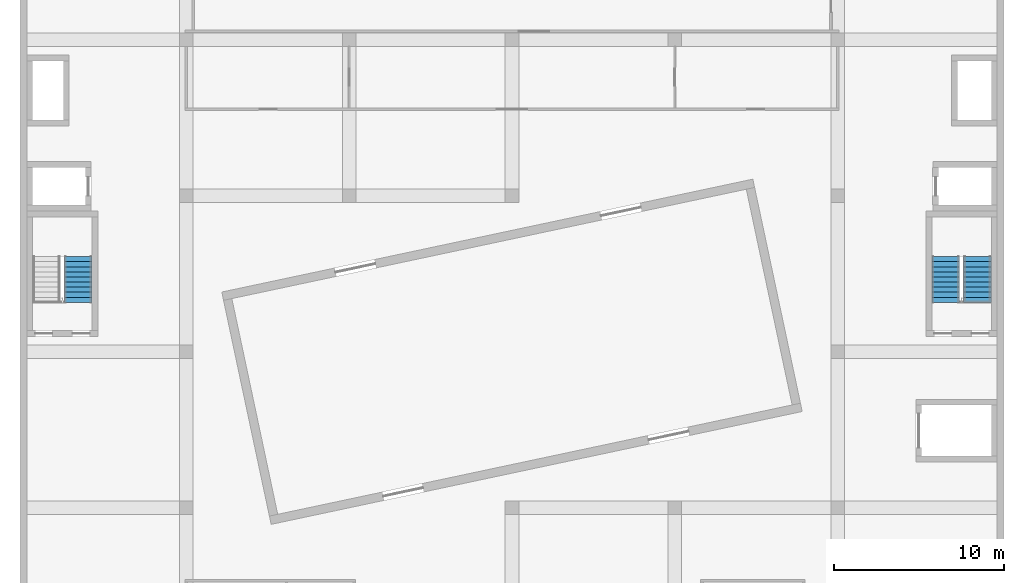
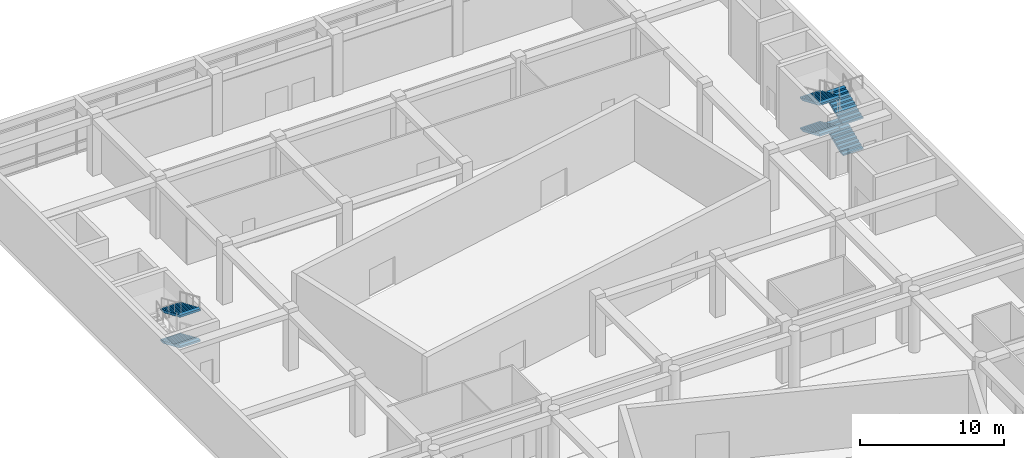
# One storey, part 16 of 31: 6 stair flights, 2 elements without a shape of their own.
"""IFC4 building model written with IfcOpenShell, lengths in metres."""

import ifcopenshell
import ifcopenshell.guid

model = None  # the IFC model being written
_history = None  # IfcOwnerHistory: only IFC2X3 demands one
_inside = {}  # id of a spatial element -> (the spatial element, [elements in it])
_under = {}  # id of a project, library or spatial element -> (it, [spatial elements below it])
_declared = {}  # id of a project -> (the project, [libraries it declares])
_typed = {}  # id of a type object -> (the type object, [elements of that type])
_made_of = {}  # id of a material, layer set ... -> (it, [elements and type objects made of it])


def new_model(schema):
    """Start an empty IFC model of exactly this schema.

    Asked for "IFC4X3", IfcOpenShell would pick the latest addendum, in which some entities
    have other attributes; the version numbers below select the first issue.
    IFC2X3 requires an IfcOwnerHistory on every rooted entity: one is made here for all.
    """
    global model, _history
    if schema == "IFC4X3":
        model = ifcopenshell.file(schema_version=(4, 3, 0, 0))
    else:
        model = ifcopenshell.file(schema=schema)
    _inside.clear()
    _under.clear()
    _declared.clear()
    _typed.clear()
    _made_of.clear()
    _history = None
    if model.schema == "IFC2X3":
        org = make("IfcOrganization", Name="unknown")
        user = make(
            "IfcPersonAndOrganization",
            ThePerson=make("IfcPerson", FamilyName="unknown"),
            TheOrganization=org,
        )
        app = make(
            "IfcApplication",
            ApplicationDeveloper=org,
            Version="unknown",
            ApplicationFullName="unknown",
            ApplicationIdentifier="unknown",
        )
        _history = make(
            "IfcOwnerHistory",
            OwningUser=user,
            OwningApplication=app,
            ChangeAction="ADDED",
            CreationDate=0,
        )
    return model


def make(cls, **values):
    """One entity of the class cls with the attributes given. An attribute that is None is left unset."""
    return model.create_entity(
        cls, **{name: value for name, value in values.items() if value is not None}
    )


def rooted(cls, **values):
    """An entity with a GlobalId (a new one), such as an element, a storey or a relation."""
    return make(cls, GlobalId=ifcopenshell.guid.new(), OwnerHistory=_history, **values)


def si_unit(unit_type, name, prefix=None):
    """IfcSIUnit, for example si_unit("LENGTHUNIT", "METRE", prefix="MILLI")."""
    return make("IfcSIUnit", UnitType=unit_type, Prefix=prefix, Name=name)


def assignment(units):
    """IfcUnitAssignment: the units of a project."""
    return None if units is None else make("IfcUnitAssignment", Units=units)


def point(xyz):
    """IfcCartesianPoint."""
    return None if xyz is None else make("IfcCartesianPoint", Coordinates=xyz)


def direction(xyz):
    """IfcDirection."""
    return None if xyz is None else make("IfcDirection", DirectionRatios=xyz)


def frame(location, z_axis=None, x_axis=None):
    """IfcAxis2Placement3D, a coordinate frame: its origin and axes. An axis left out is left unset."""
    return make(
        "IfcAxis2Placement3D",
        Location=point(location),
        Axis=direction(z_axis),
        RefDirection=direction(x_axis),
    )


def origin():
    """The frame at (0, 0, 0) with its axes left unset."""
    return frame((0.0, 0.0, 0.0))


def place(relative_to, where):
    """IfcLocalPlacement: puts the frame where relative to a parent placement (None: the world)."""
    return make(
        "IfcLocalPlacement", PlacementRelTo=relative_to, RelativePlacement=where
    )


def context(
    kind, dimensions, precision=None, world=None, true_north=None, identifier=None
):
    """IfcGeometricRepresentationContext, for example the 3D "Model" context."""
    return make(
        "IfcGeometricRepresentationContext",
        ContextIdentifier=identifier,
        ContextType=kind,
        CoordinateSpaceDimension=dimensions,
        Precision=precision,
        WorldCoordinateSystem=world,
        TrueNorth=true_north,
    )


def subcontext(parent, identifier, kind, view, scale=None):
    """IfcGeometricRepresentationSubContext, for example "Body" below "Model"."""
    return make(
        "IfcGeometricRepresentationSubContext",
        ContextIdentifier=identifier,
        ContextType=kind,
        ParentContext=parent,
        TargetScale=scale,
        TargetView=view,
    )


def project(units=None, contexts=None):
    """IfcProject with its units and contexts."""
    return rooted(
        "IfcProject",
        Name="project",
        RepresentationContexts=contexts,
        UnitsInContext=assignment(units),
    )


def spatial(cls, under=None, at=None, **own):
    """A site, building, storey or space (cls), placed at a placement, below another one or the project."""
    s = rooted(cls, ObjectPlacement=at, **own)
    if under is not None:
        _under.setdefault(under.id(), (under, []))[1].append(s)
    return s


def polyline(points):
    """IfcPolyline through the points."""
    return make("IfcPolyline", Points=[point(p) for p in points])


def outline(outer, holes=None, kind="AREA"):
    """IfcArbitraryClosedProfileDef: a profile drawn as a closed curve; with holes, ...WithVoids."""
    if holes is None:
        return make("IfcArbitraryClosedProfileDef", ProfileType=kind, OuterCurve=outer)
    return make(
        "IfcArbitraryProfileDefWithVoids",
        ProfileType=kind,
        OuterCurve=outer,
        InnerCurves=holes,
    )


def extrude(swept, where, along, depth):
    """IfcExtrudedAreaSolid: the profile swept, set in the frame where, extruded along a direction by depth."""
    return make(
        "IfcExtrudedAreaSolid",
        SweptArea=swept,
        Position=where,
        ExtrudedDirection=direction(along),
        Depth=depth,
    )


def shape(context_of_items, identifier, shape_type, items):
    """IfcShapeRepresentation: the items that make up one representation, for example the "Body"."""
    return make(
        "IfcShapeRepresentation",
        ContextOfItems=context_of_items,
        RepresentationIdentifier=identifier,
        RepresentationType=shape_type,
        Items=items,
    )


def material(Name=None, Category=None):
    """IfcMaterial."""
    return make("IfcMaterial", Name=Name, Category=Category)


def made_of(thing, what):
    """Note that an element or type object is made of a material, layer set ...; save() writes the relation."""
    if what is not None:
        _made_of.setdefault(what.id(), (what, []))[1].append(thing)
    return thing


def type_object(cls, material=None, **own):
    """A type object (cls), such as IfcWallType, which elements share."""
    return made_of(rooted(cls, **own), material)


def element(
    cls,
    number,
    at=None,
    inside=None,
    cuts=None,
    type_object=None,
    material=None,
    context=None,
    identifier="Body",
    shape_type=None,
    held_by="IfcProductDefinitionShape",
    body=None,
    shapes=None,
    **own,
):
    """One element of the class cls, such as IfcWall. Its Tag is "e" and its number.

    at: its placement. inside: the storey or other place that contains it. cuts: it is an
    opening in that element (IfcRelVoidsElement). A single representation is given by context,
    identifier, shape_type and body (its items); several are given by shapes. held_by: the class
    of the entity that holds the representations. save() writes the other relations.
    """
    e = rooted(cls, Tag="e%d" % number, ObjectPlacement=at, **own)
    if body is not None:
        shapes = [shape(context, identifier, shape_type, body)]
    if shapes is not None:
        e.Representation = make(held_by, Representations=shapes)
    if inside is not None:
        _inside.setdefault(inside.id(), (inside, []))[1].append(e)
    if cuts is not None:
        rooted(
            "IfcRelVoidsElement", RelatingBuildingElement=cuts, RelatedOpeningElement=e
        )
    if type_object is not None:
        _typed.setdefault(type_object.id(), (type_object, []))[1].append(e)
    return made_of(e, material)


def aggregate(whole, parts):
    """IfcRelAggregates: a whole, such as a stair, and the parts it consists of."""
    return rooted("IfcRelAggregates", RelatingObject=whole, RelatedObjects=parts)


def save(model, path):
    """Write the relations noted so far, then the file.

    IfcRelAggregates (storeys below a building ...), IfcRelContainedInSpatialStructure (elements
    in a storey), IfcRelDefinesByType, IfcRelAssociatesMaterial and IfcRelDeclares: one each for
    every whole, place, type object, material and project.
    """
    for whole, parts in _under.values():
        aggregate(whole, parts)
    for where, things in _inside.values():
        rooted(
            "IfcRelContainedInSpatialStructure",
            RelatedElements=things,
            RelatingStructure=where,
        )
    for kind, things in _typed.values():
        rooted("IfcRelDefinesByType", RelatedObjects=things, RelatingType=kind)
    for what, things in _made_of.values():
        rooted("IfcRelAssociatesMaterial", RelatedObjects=things, RelatingMaterial=what)
    for by, libraries in _declared.values():
        rooted("IfcRelDeclares", RelatingContext=by, RelatedDefinitions=libraries)
    model.write(path)


model = new_model("IFC4")

# Units and contexts
model_context = context("Model", 3, precision=1e-05, world=origin(), true_north=direction((0.0, 1.0)))
body_context = subcontext(model_context, "Body", "Model", "MODEL_VIEW")
ifc_project = project(units=[si_unit("LENGTHUNIT", "METRE"), si_unit("AREAUNIT", "SQUARE_METRE"), si_unit("VOLUMEUNIT", "CUBIC_METRE"), si_unit("PLANEANGLEUNIT", "RADIAN"), si_unit("MASSUNIT", "GRAM", prefix="KILO")], contexts=[model_context])

# Site, building, storey
site_placement = place(None, origin())
site = spatial("IfcSite", under=ifc_project, at=site_placement, CompositionType="ELEMENT")
building_placement = place(site_placement, origin())
building = spatial("IfcBuilding", under=site, at=building_placement, Name="Nzadi Deep Aquarium and Research Tower", CompositionType="ELEMENT")
storey_placement = place(building_placement, frame((0.0, 0.0, 26.699951171875)))
storey = spatial("IfcBuildingStorey", under=building, at=storey_placement, Name="L04", CompositionType="ELEMENT", Elevation=26.699951171875)

# Stair, stair flights
ifc_material_1 = material(Name="Concrete C35/45", Category="concrete")
stair_type = type_object("IfcStairType", Name="STAIR RETURN 3000", PredefinedType="NOTDEFINED", material=ifc_material_1)
stair_1_placement = place(storey_placement, origin())
stair_1 = element("IfcStair", 1, at=stair_1_placement, inside=storey, type_object=stair_type, Name="Stair ST-Z3-W L04", PredefinedType="DOUBLE_RETURN_STAIR")
ifc_material_2 = material(Name="Concrete C35/45", Category="concrete")
stair_flight_type = type_object("IfcStairFlightType", Name="FLIGHT 1625 10 RISERS 130.0", PredefinedType="STRAIGHT", material=ifc_material_2)
stair_flight_1_placement = place(storey_placement, frame((3.237548828125, 118.81005859375, 1.300048828125), z_axis=(0.0, 0.0, 1.0), x_axis=(0.0, -1.0, 0.0)))
stair_flight_1 = element("IfcStairFlight", 2, at=stair_flight_1_placement, type_object=stair_flight_type, Name="ST-Z3-W flight 2", NumberOfRisers=10, NumberOfTreads=9, PredefinedType="STRAIGHT", RiserHeight=0.13, TreadLength=0.3, context=body_context, shape_type="SweptSolid", body=[
    extrude(outline(polyline([(0.0, 0.0), (0.0, 0.1298828125), (0.300048828125, 0.1298828125), (0.300048828125, 0.260009765625), (0.60009765625, 0.260009765625), (0.60009765625, 0.389892578125), (0.89990234375, 0.389892578125), (0.89990234375, 0.52001953125), (1.199951171875, 0.52001953125), (1.199951171875, 0.64990234375), (1.5, 0.64990234375), (1.5, 0.780029296875), (1.800048828125, 0.780029296875), (1.800048828125, 0.909912109375), (2.10009765625, 0.909912109375), (2.10009765625, 1.0400390625), (2.39990234375, 1.0400390625), (2.39990234375, 1.169921875), (2.699951171875, 1.169921875), (2.699951171875, 1.300048828125), (2.699951171875, 1.006591796875), (0.376953125, 0.0), (0.0, 0.0)])), frame((0.0, 0.8125, 0.0), z_axis=(0.0, -1.0, 0.0), x_axis=(1.0, 0.0, 0.0)), (0.0, 0.0, 1.0), 1.625),
])
stair_flight_2_placement = place(storey_placement, frame((3.237548828125, 118.81005859375, 3.900146484375), z_axis=(0.0, 0.0, 1.0), x_axis=(0.0, -1.0, 0.0)))
stair_flight_2 = element("IfcStairFlight", 3, at=stair_flight_2_placement, type_object=stair_flight_type, Name="ST-Z3-W flight 4", NumberOfRisers=10, NumberOfTreads=9, PredefinedType="STRAIGHT", RiserHeight=0.13, TreadLength=0.3, context=body_context, shape_type="SweptSolid", body=[
    extrude(outline(polyline([(0.0, 0.0), (0.0, 0.1298828125), (0.300048828125, 0.1298828125), (0.300048828125, 0.260009765625), (0.60009765625, 0.260009765625), (0.60009765625, 0.389892578125), (0.89990234375, 0.389892578125), (0.89990234375, 0.52001953125), (1.199951171875, 0.52001953125), (1.199951171875, 0.64990234375), (1.5, 0.64990234375), (1.5, 0.780029296875), (1.800048828125, 0.780029296875), (1.800048828125, 0.909912109375), (2.10009765625, 0.909912109375), (2.10009765625, 1.0400390625), (2.39990234375, 1.0400390625), (2.39990234375, 1.169921875), (2.699951171875, 1.169921875), (2.699951171875, 1.300048828125), (2.699951171875, 1.006591796875), (0.376953125, 0.0), (0.0, 0.0)])), frame((0.0, 0.8125, 0.0), z_axis=(0.0, -1.0, 0.0), x_axis=(1.0, 0.0, 0.0)), (0.0, 0.0, 1.0), 1.625),
])
aggregate(stair_1, [stair_flight_1, stair_flight_2])

stair_2_placement = place(storey_placement, origin())
stair_2 = element("IfcStair", 4, at=stair_2_placement, inside=storey, type_object=stair_type, Name="Stair ST-Z3-E L04", PredefinedType="DOUBLE_RETURN_STAIR")
stair_flight_3_placement = place(storey_placement, frame((56.237548828125, 116.110107421875, 0.0), z_axis=(0.0, 0.0, 1.0), x_axis=(0.0, 1.0, 0.0)))
stair_flight_3 = element("IfcStairFlight", 5, at=stair_flight_3_placement, type_object=stair_flight_type, Name="ST-Z3-E flight 1", NumberOfRisers=10, NumberOfTreads=9, PredefinedType="STRAIGHT", RiserHeight=0.13, TreadLength=0.3, context=body_context, shape_type="SweptSolid", body=[
    extrude(outline(polyline([(0.0, 0.0), (0.0, 0.1298828125), (0.300048828125, 0.1298828125), (0.300048828125, 0.260009765625), (0.60009765625, 0.260009765625), (0.60009765625, 0.389892578125), (0.89990234375, 0.389892578125), (0.89990234375, 0.52001953125), (1.199951171875, 0.52001953125), (1.199951171875, 0.64990234375), (1.5, 0.64990234375), (1.5, 0.780029296875), (1.800048828125, 0.780029296875), (1.800048828125, 0.909912109375), (2.10009765625, 0.909912109375), (2.10009765625, 1.0400390625), (2.39990234375, 1.0400390625), (2.39990234375, 1.169921875), (2.699951171875, 1.169921875), (2.699951171875, 1.300048828125), (2.699951171875, 1.006591796875), (0.376953125, 0.0), (0.0, 0.0)])), frame((0.0, 0.8125, 0.0), z_axis=(0.0, -1.0, 0.0), x_axis=(1.0, 0.0, 0.0)), (0.0, 0.0, 1.0), 1.625),
])
stair_flight_4_placement = place(storey_placement, frame((54.362548828125, 118.81005859375, 1.300048828125), z_axis=(0.0, 0.0, 1.0), x_axis=(0.0, -1.0, 0.0)))
stair_flight_4 = element("IfcStairFlight", 6, at=stair_flight_4_placement, type_object=stair_flight_type, Name="ST-Z3-E flight 2", NumberOfRisers=10, NumberOfTreads=9, PredefinedType="STRAIGHT", RiserHeight=0.13, TreadLength=0.3, context=body_context, shape_type="SweptSolid", body=[
    extrude(outline(polyline([(0.0, 0.0), (0.0, 0.1298828125), (0.300048828125, 0.1298828125), (0.300048828125, 0.260009765625), (0.60009765625, 0.260009765625), (0.60009765625, 0.389892578125), (0.89990234375, 0.389892578125), (0.89990234375, 0.52001953125), (1.199951171875, 0.52001953125), (1.199951171875, 0.64990234375), (1.5, 0.64990234375), (1.5, 0.780029296875), (1.800048828125, 0.780029296875), (1.800048828125, 0.909912109375), (2.10009765625, 0.909912109375), (2.10009765625, 1.0400390625), (2.39990234375, 1.0400390625), (2.39990234375, 1.169921875), (2.699951171875, 1.169921875), (2.699951171875, 1.300048828125), (2.699951171875, 1.006591796875), (0.376953125, 0.0), (0.0, 0.0)])), frame((0.0, 0.8125, 0.0), z_axis=(0.0, -1.0, 0.0), x_axis=(1.0, 0.0, 0.0)), (0.0, 0.0, 1.0), 1.625),
])
stair_flight_5_placement = place(storey_placement, frame((56.237548828125, 116.110107421875, 2.60009765625), z_axis=(0.0, 0.0, 1.0), x_axis=(0.0, 1.0, 0.0)))
stair_flight_5 = element("IfcStairFlight", 7, at=stair_flight_5_placement, type_object=stair_flight_type, Name="ST-Z3-E flight 3", NumberOfRisers=10, NumberOfTreads=9, PredefinedType="STRAIGHT", RiserHeight=0.13, TreadLength=0.3, context=body_context, shape_type="SweptSolid", body=[
    extrude(outline(polyline([(0.0, 0.0), (0.0, 0.1298828125), (0.300048828125, 0.1298828125), (0.300048828125, 0.260009765625), (0.60009765625, 0.260009765625), (0.60009765625, 0.389892578125), (0.89990234375, 0.389892578125), (0.89990234375, 0.52001953125), (1.199951171875, 0.52001953125), (1.199951171875, 0.64990234375), (1.5, 0.64990234375), (1.5, 0.780029296875), (1.800048828125, 0.780029296875), (1.800048828125, 0.909912109375), (2.10009765625, 0.909912109375), (2.10009765625, 1.0400390625), (2.39990234375, 1.0400390625), (2.39990234375, 1.169921875), (2.699951171875, 1.169921875), (2.699951171875, 1.300048828125), (2.699951171875, 1.006591796875), (0.376953125, 0.0), (0.0, 0.0)])), frame((0.0, 0.8125, 0.0), z_axis=(0.0, -1.0, 0.0), x_axis=(1.0, 0.0, 0.0)), (0.0, 0.0, 1.0), 1.625),
])
stair_flight_6_placement = place(storey_placement, frame((54.362548828125, 118.81005859375, 3.900146484375), z_axis=(0.0, 0.0, 1.0), x_axis=(0.0, -1.0, 0.0)))
stair_flight_6 = element("IfcStairFlight", 8, at=stair_flight_6_placement, type_object=stair_flight_type, Name="ST-Z3-E flight 4", NumberOfRisers=10, NumberOfTreads=9, PredefinedType="STRAIGHT", RiserHeight=0.13, TreadLength=0.3, context=body_context, shape_type="SweptSolid", body=[
    extrude(outline(polyline([(0.0, 0.0), (0.0, 0.1298828125), (0.300048828125, 0.1298828125), (0.300048828125, 0.260009765625), (0.60009765625, 0.260009765625), (0.60009765625, 0.389892578125), (0.89990234375, 0.389892578125), (0.89990234375, 0.52001953125), (1.199951171875, 0.52001953125), (1.199951171875, 0.64990234375), (1.5, 0.64990234375), (1.5, 0.780029296875), (1.800048828125, 0.780029296875), (1.800048828125, 0.909912109375), (2.10009765625, 0.909912109375), (2.10009765625, 1.0400390625), (2.39990234375, 1.0400390625), (2.39990234375, 1.169921875), (2.699951171875, 1.169921875), (2.699951171875, 1.300048828125), (2.699951171875, 1.006591796875), (0.376953125, 0.0), (0.0, 0.0)])), frame((0.0, 0.8125, 0.0), z_axis=(0.0, -1.0, 0.0), x_axis=(1.0, 0.0, 0.0)), (0.0, 0.0, 1.0), 1.625),
])
aggregate(stair_2, [stair_flight_3, stair_flight_4, stair_flight_5, stair_flight_6])

save(model, "model.ifc")
